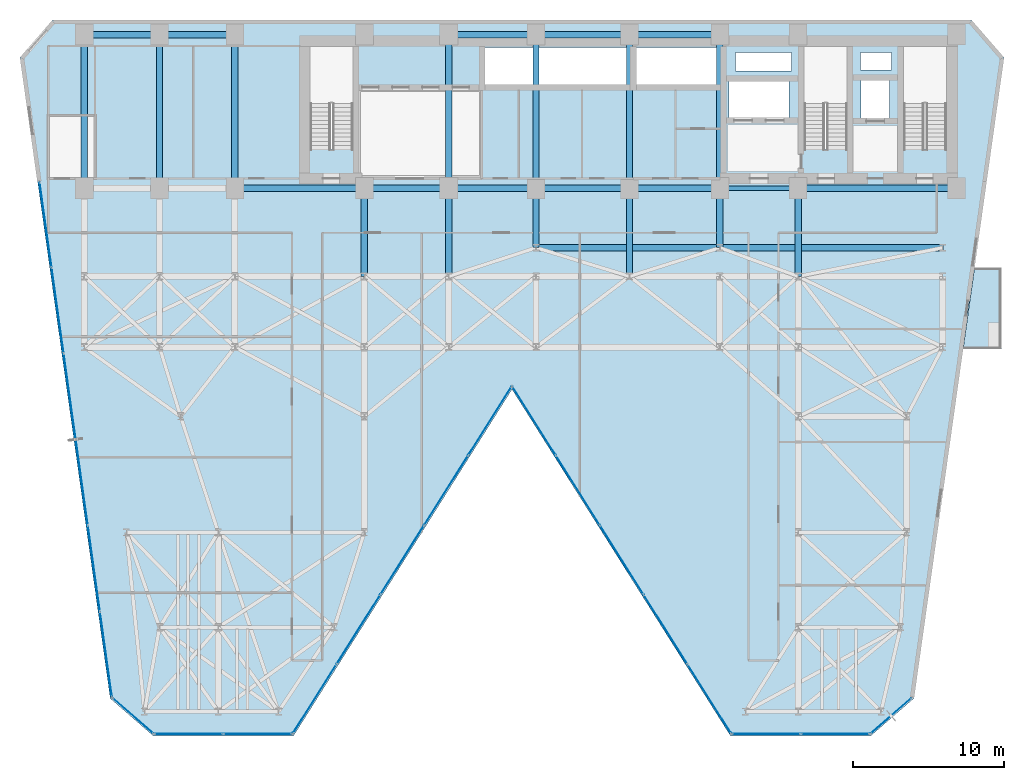
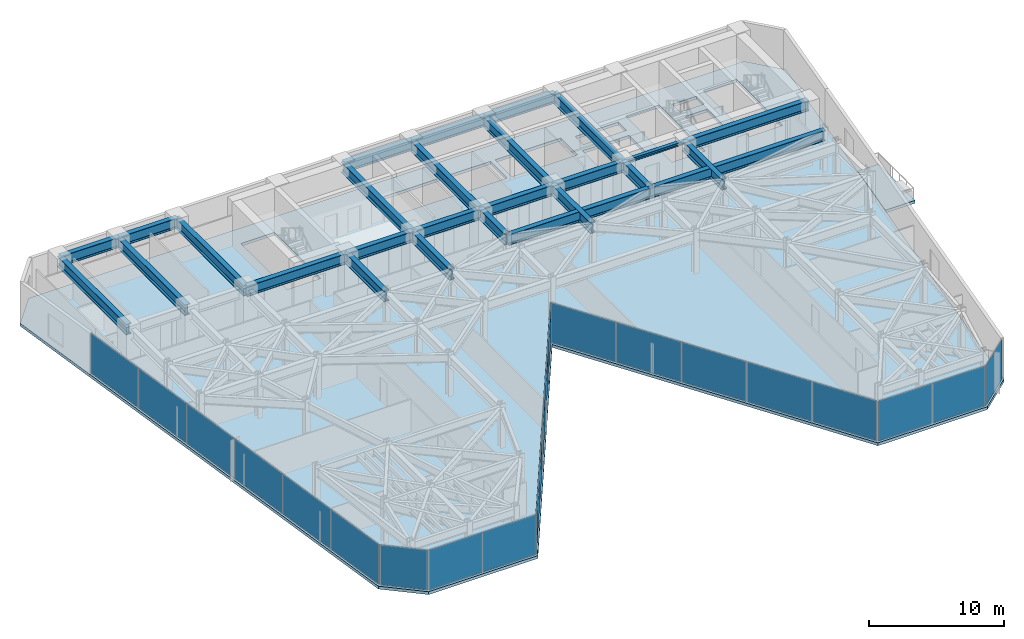
# One storey, part 18 of 25: 27 beams, 22 plates, 2 slabs, 7 elements without a shape of their own.
"""IFC4 building model written with IfcOpenShell, lengths in metres."""

import ifcopenshell
import ifcopenshell.guid

model = None  # the IFC model being written
_history = None  # IfcOwnerHistory: only IFC2X3 demands one
_inside = {}  # id of a spatial element -> (the spatial element, [elements in it])
_under = {}  # id of a project, library or spatial element -> (it, [spatial elements below it])
_declared = {}  # id of a project -> (the project, [libraries it declares])
_typed = {}  # id of a type object -> (the type object, [elements of that type])
_made_of = {}  # id of a material, layer set ... -> (it, [elements and type objects made of it])


def new_model(schema):
    """Start an empty IFC model of exactly this schema.

    Asked for "IFC4X3", IfcOpenShell would pick the latest addendum, in which some entities
    have other attributes; the version numbers below select the first issue.
    IFC2X3 requires an IfcOwnerHistory on every rooted entity: one is made here for all.
    """
    global model, _history
    if schema == "IFC4X3":
        model = ifcopenshell.file(schema_version=(4, 3, 0, 0))
    else:
        model = ifcopenshell.file(schema=schema)
    _inside.clear()
    _under.clear()
    _declared.clear()
    _typed.clear()
    _made_of.clear()
    _history = None
    if model.schema == "IFC2X3":
        org = make("IfcOrganization", Name="unknown")
        user = make(
            "IfcPersonAndOrganization",
            ThePerson=make("IfcPerson", FamilyName="unknown"),
            TheOrganization=org,
        )
        app = make(
            "IfcApplication",
            ApplicationDeveloper=org,
            Version="unknown",
            ApplicationFullName="unknown",
            ApplicationIdentifier="unknown",
        )
        _history = make(
            "IfcOwnerHistory",
            OwningUser=user,
            OwningApplication=app,
            ChangeAction="ADDED",
            CreationDate=0,
        )
    return model


def make(cls, **values):
    """One entity of the class cls with the attributes given. An attribute that is None is left unset."""
    return model.create_entity(
        cls, **{name: value for name, value in values.items() if value is not None}
    )


def rooted(cls, **values):
    """An entity with a GlobalId (a new one), such as an element, a storey or a relation."""
    return make(cls, GlobalId=ifcopenshell.guid.new(), OwnerHistory=_history, **values)


def si_unit(unit_type, name, prefix=None):
    """IfcSIUnit, for example si_unit("LENGTHUNIT", "METRE", prefix="MILLI")."""
    return make("IfcSIUnit", UnitType=unit_type, Prefix=prefix, Name=name)


def assignment(units):
    """IfcUnitAssignment: the units of a project."""
    return None if units is None else make("IfcUnitAssignment", Units=units)


def point(xyz):
    """IfcCartesianPoint."""
    return None if xyz is None else make("IfcCartesianPoint", Coordinates=xyz)


def direction(xyz):
    """IfcDirection."""
    return None if xyz is None else make("IfcDirection", DirectionRatios=xyz)


def frame(location, z_axis=None, x_axis=None):
    """IfcAxis2Placement3D, a coordinate frame: its origin and axes. An axis left out is left unset."""
    return make(
        "IfcAxis2Placement3D",
        Location=point(location),
        Axis=direction(z_axis),
        RefDirection=direction(x_axis),
    )


def frame_2d(location, x_axis=None):
    """IfcAxis2Placement2D, a coordinate frame in the plane: its origin and x axis."""
    return make(
        "IfcAxis2Placement2D", Location=point(location), RefDirection=direction(x_axis)
    )


def origin():
    """The frame at (0, 0, 0) with its axes left unset."""
    return frame((0.0, 0.0, 0.0))


def origin_2d():
    """The frame at (0, 0) in the plane with its x axis left unset."""
    return frame_2d((0.0, 0.0))


def place(relative_to, where):
    """IfcLocalPlacement: puts the frame where relative to a parent placement (None: the world)."""
    return make(
        "IfcLocalPlacement", PlacementRelTo=relative_to, RelativePlacement=where
    )


def context(
    kind, dimensions, precision=None, world=None, true_north=None, identifier=None
):
    """IfcGeometricRepresentationContext, for example the 3D "Model" context."""
    return make(
        "IfcGeometricRepresentationContext",
        ContextIdentifier=identifier,
        ContextType=kind,
        CoordinateSpaceDimension=dimensions,
        Precision=precision,
        WorldCoordinateSystem=world,
        TrueNorth=true_north,
    )


def subcontext(parent, identifier, kind, view, scale=None):
    """IfcGeometricRepresentationSubContext, for example "Body" below "Model"."""
    return make(
        "IfcGeometricRepresentationSubContext",
        ContextIdentifier=identifier,
        ContextType=kind,
        ParentContext=parent,
        TargetScale=scale,
        TargetView=view,
    )


def project(units=None, contexts=None):
    """IfcProject with its units and contexts."""
    return rooted(
        "IfcProject",
        Name="project",
        RepresentationContexts=contexts,
        UnitsInContext=assignment(units),
    )


def spatial(cls, under=None, at=None, **own):
    """A site, building, storey or space (cls), placed at a placement, below another one or the project."""
    s = rooted(cls, ObjectPlacement=at, **own)
    if under is not None:
        _under.setdefault(under.id(), (under, []))[1].append(s)
    return s


def polyline(points):
    """IfcPolyline through the points."""
    return make("IfcPolyline", Points=[point(p) for p in points])


def profile(cls, at=None, kind="AREA", **sizes):
    """A parametric profile (cls). Its sizes go by their IFC names, for example OverallWidth=200.0."""
    return make(cls, ProfileType=kind, Position=at, **sizes)


def rectangle(**sizes):
    """IfcRectangleProfileDef."""
    return profile("IfcRectangleProfileDef", **sizes)


def i_section(**sizes):
    """IfcIShapeProfileDef."""
    return profile("IfcIShapeProfileDef", **sizes)


def outline(outer, holes=None, kind="AREA"):
    """IfcArbitraryClosedProfileDef: a profile drawn as a closed curve; with holes, ...WithVoids."""
    if holes is None:
        return make("IfcArbitraryClosedProfileDef", ProfileType=kind, OuterCurve=outer)
    return make(
        "IfcArbitraryProfileDefWithVoids",
        ProfileType=kind,
        OuterCurve=outer,
        InnerCurves=holes,
    )


def extrude(swept, where, along, depth):
    """IfcExtrudedAreaSolid: the profile swept, set in the frame where, extruded along a direction by depth."""
    return make(
        "IfcExtrudedAreaSolid",
        SweptArea=swept,
        Position=where,
        ExtrudedDirection=direction(along),
        Depth=depth,
    )


def shape(context_of_items, identifier, shape_type, items):
    """IfcShapeRepresentation: the items that make up one representation, for example the "Body"."""
    return make(
        "IfcShapeRepresentation",
        ContextOfItems=context_of_items,
        RepresentationIdentifier=identifier,
        RepresentationType=shape_type,
        Items=items,
    )


def material(Name=None, Category=None):
    """IfcMaterial."""
    return make("IfcMaterial", Name=Name, Category=Category)


def layer(
    of_material, thickness, ventilated=None, Name=None, Category=None, Priority=None
):
    """IfcMaterialLayer: one layer of a wall or slab, of a material (None: an air gap)."""
    return make(
        "IfcMaterialLayer",
        Material=of_material,
        LayerThickness=thickness,
        IsVentilated=ventilated,
        Name=Name,
        Category=Category,
        Priority=Priority,
    )


def layer_set(layers, Name=None):
    """IfcMaterialLayerSet."""
    return make("IfcMaterialLayerSet", MaterialLayers=layers, LayerSetName=Name)


def material_profile(
    of_material, cross_section, Name=None, Category=None, Priority=None
):
    """IfcMaterialProfile: a cross section and its material."""
    return make(
        "IfcMaterialProfile",
        Name=Name,
        Material=of_material,
        Profile=cross_section,
        Priority=Priority,
        Category=Category,
    )


def profile_set(profiles, Name=None, composite=None):
    """IfcMaterialProfileSet."""
    return make(
        "IfcMaterialProfileSet",
        Name=Name,
        MaterialProfiles=profiles,
        CompositeProfile=composite,
    )


def made_of(thing, what):
    """Note that an element or type object is made of a material, layer set ...; save() writes the relation."""
    if what is not None:
        _made_of.setdefault(what.id(), (what, []))[1].append(thing)
    return thing


def type_object(cls, material=None, **own):
    """A type object (cls), such as IfcWallType, which elements share."""
    return made_of(rooted(cls, **own), material)


def element(
    cls,
    number,
    at=None,
    inside=None,
    cuts=None,
    type_object=None,
    material=None,
    context=None,
    identifier="Body",
    shape_type=None,
    held_by="IfcProductDefinitionShape",
    body=None,
    shapes=None,
    **own,
):
    """One element of the class cls, such as IfcWall. Its Tag is "e" and its number.

    at: its placement. inside: the storey or other place that contains it. cuts: it is an
    opening in that element (IfcRelVoidsElement). A single representation is given by context,
    identifier, shape_type and body (its items); several are given by shapes. held_by: the class
    of the entity that holds the representations. save() writes the other relations.
    """
    e = rooted(cls, Tag="e%d" % number, ObjectPlacement=at, **own)
    if body is not None:
        shapes = [shape(context, identifier, shape_type, body)]
    if shapes is not None:
        e.Representation = make(held_by, Representations=shapes)
    if inside is not None:
        _inside.setdefault(inside.id(), (inside, []))[1].append(e)
    if cuts is not None:
        rooted(
            "IfcRelVoidsElement", RelatingBuildingElement=cuts, RelatedOpeningElement=e
        )
    if type_object is not None:
        _typed.setdefault(type_object.id(), (type_object, []))[1].append(e)
    return made_of(e, material)


def aggregate(whole, parts):
    """IfcRelAggregates: a whole, such as a stair, and the parts it consists of."""
    return rooted("IfcRelAggregates", RelatingObject=whole, RelatedObjects=parts)


def save(model, path):
    """Write the relations noted so far, then the file.

    IfcRelAggregates (storeys below a building ...), IfcRelContainedInSpatialStructure (elements
    in a storey), IfcRelDefinesByType, IfcRelAssociatesMaterial and IfcRelDeclares: one each for
    every whole, place, type object, material and project.
    """
    for whole, parts in _under.values():
        aggregate(whole, parts)
    for where, things in _inside.values():
        rooted(
            "IfcRelContainedInSpatialStructure",
            RelatedElements=things,
            RelatingStructure=where,
        )
    for kind, things in _typed.values():
        rooted("IfcRelDefinesByType", RelatedObjects=things, RelatingType=kind)
    for what, things in _made_of.values():
        rooted("IfcRelAssociatesMaterial", RelatedObjects=things, RelatingMaterial=what)
    for by, libraries in _declared.values():
        rooted("IfcRelDeclares", RelatingContext=by, RelatedDefinitions=libraries)
    model.write(path)


model = new_model("IFC4")

# Units and contexts
model_context = context("Model", 3, precision=1e-05, world=origin(), true_north=direction((0.0, 1.0)))
body_context = subcontext(model_context, "Body", "Model", "MODEL_VIEW")
ifc_project = project(units=[si_unit("LENGTHUNIT", "METRE"), si_unit("AREAUNIT", "SQUARE_METRE"), si_unit("VOLUMEUNIT", "CUBIC_METRE"), si_unit("PLANEANGLEUNIT", "RADIAN"), si_unit("MASSUNIT", "GRAM", prefix="KILO")], contexts=[model_context])

# Site, building, storey
site_placement = place(None, origin())
site = spatial("IfcSite", under=ifc_project, at=site_placement, CompositionType="ELEMENT")
building_placement = place(site_placement, origin())
building = spatial("IfcBuilding", under=site, at=building_placement, Name="Kravanh Interchange Tower", CompositionType="ELEMENT")
storey_placement = place(building_placement, frame((0.0, 0.0, 81.5)))
storey = spatial("IfcBuildingStorey", under=building, at=storey_placement, Name="L19", CompositionType="ELEMENT", Elevation=81.5)

# Beams
ifc_material_1 = material(Name="Structural Steel S355", Category="steel")
ifc_material_profile_1 = material_profile(ifc_material_1, i_section(OverallWidth=0.41796875, OverallDepth=0.927001953125, WebThickness=0.019287109375, FlangeThickness=0.031982421875, FilletRadius=0.028076171875, at=origin_2d()), Name="W36X231")
ifc_profile_set_1 = profile_set([ifc_material_profile_1], Name="Structural Steel S355")
beam_type_1 = type_object("IfcBeamType", Name="Floor Beam W36X231 Structural Steel S355", PredefinedType="BEAM", material=ifc_profile_set_1)
beam_1_placement = place(storey_placement, frame((66.5, 37.35009765625, 3.256591796875), z_axis=(-1.0, 0.0, 0.0), x_axis=(0.0, -1.0, 0.0)))
element("IfcBeam", 1, at=beam_1_placement, inside=storey, type_object=beam_type_1, Name="L19 Primary Floor Girder 5", PredefinedType="BEAM", context=body_context, shape_type="SweptSolid", body=[
    extrude(i_section(OverallWidth=0.41796875, OverallDepth=0.927001953125, WebThickness=0.019287109375, FlangeThickness=0.031982421875, FilletRadius=0.028076171875, at=origin_2d()), origin(), (0.0, 0.0, 1.0), 10.5),
])
beam_2_placement = place(storey_placement, frame((56.0, 37.35009765625, 3.256591796875), z_axis=(0.0, -1.0, 0.0), x_axis=(1.0, 0.0, 0.0)))
element("IfcBeam", 2, at=beam_2_placement, inside=storey, type_object=beam_type_1, Name="L19 Primary Floor Girder 7", PredefinedType="BEAM", context=body_context, shape_type="SweptSolid", body=[
    extrude(i_section(OverallWidth=0.41796875, OverallDepth=0.927001953125, WebThickness=0.019287109375, FlangeThickness=0.031982421875, FilletRadius=0.028076171875, at=origin_2d()), origin(), (0.0, 0.0, 1.0), 5.85009765625),
])
beam_3_placement = place(storey_placement, frame((50.800048828125, 47.550048828125, 3.256591796875), z_axis=(-1.0, 0.0, 0.0), x_axis=(0.0, -1.0, 0.0)))
element("IfcBeam", 3, at=beam_3_placement, inside=storey, type_object=beam_type_1, Name="L19 Primary Floor Girder 8", PredefinedType="BEAM", context=body_context, shape_type="SweptSolid", body=[
    extrude(i_section(OverallWidth=0.41796875, OverallDepth=0.927001953125, WebThickness=0.019287109375, FlangeThickness=0.031982421875, FilletRadius=0.028076171875, at=origin_2d()), origin(), (0.0, 0.0, 1.0), 6.0),
])
beam_4_placement = place(storey_placement, frame((50.800048828125, 47.550048828125, 3.256591796875), z_axis=(0.0, -1.0, 0.0), x_axis=(1.0, 0.0, 0.0)))
element("IfcBeam", 4, at=beam_4_placement, inside=storey, type_object=beam_type_1, Name="L19 Primary Floor Girder 9", PredefinedType="BEAM", context=body_context, shape_type="SweptSolid", body=[
    extrude(i_section(OverallWidth=0.41796875, OverallDepth=0.927001953125, WebThickness=0.019287109375, FlangeThickness=0.031982421875, FilletRadius=0.028076171875, at=origin_2d()), origin(), (0.0, 0.0, 1.0), 10.199951171875),
])
beam_5_placement = place(storey_placement, frame((50.800048828125, 37.35009765625, 3.256591796875), z_axis=(0.0, -1.0, 0.0), x_axis=(1.0, 0.0, 0.0)))
element("IfcBeam", 5, at=beam_5_placement, inside=storey, type_object=beam_type_1, Name="L19 Primary Floor Girder 10", PredefinedType="BEAM", context=body_context, shape_type="SweptSolid", body=[
    extrude(i_section(OverallWidth=0.41796875, OverallDepth=0.927001953125, WebThickness=0.019287109375, FlangeThickness=0.031982421875, FilletRadius=0.028076171875, at=origin_2d()), origin(), (0.0, 0.0, 1.0), 3.9501953125),
])
beam_6_placement = place(storey_placement, frame((50.800048828125, 37.35009765625, 3.256591796875), z_axis=(-1.0, 0.0, 0.0), x_axis=(0.0, -1.0, 0.0)))
element("IfcBeam", 6, at=beam_6_placement, inside=storey, type_object=beam_type_1, Name="L19 Primary Floor Girder 11", PredefinedType="BEAM", context=body_context, shape_type="SweptSolid", body=[
    extrude(i_section(OverallWidth=0.41796875, OverallDepth=0.927001953125, WebThickness=0.019287109375, FlangeThickness=0.031982421875, FilletRadius=0.028076171875, at=origin_2d()), origin(), (0.0, 0.0, 1.0), 6.0),
])
beam_7_placement = place(storey_placement, frame((44.800048828125, 37.35009765625, 3.256591796875), z_axis=(0.0, -1.0, 0.0), x_axis=(1.0, 0.0, 0.0)))
element("IfcBeam", 7, at=beam_7_placement, inside=storey, type_object=beam_type_1, Name="L19 Primary Floor Girder 12", PredefinedType="BEAM", context=body_context, shape_type="SweptSolid", body=[
    extrude(i_section(OverallWidth=0.41796875, OverallDepth=0.927001953125, WebThickness=0.019287109375, FlangeThickness=0.031982421875, FilletRadius=0.028076171875, at=origin_2d()), origin(), (0.0, 0.0, 1.0), 5.85009765625),
])
beam_8_placement = place(storey_placement, frame((44.800048828125, 37.35009765625, 3.256591796875), z_axis=(-1.0, 0.0, 0.0), x_axis=(0.0, -1.0, 0.0)))
element("IfcBeam", 8, at=beam_8_placement, inside=storey, type_object=beam_type_1, Name="L19 Primary Floor Girder 13", PredefinedType="BEAM", context=body_context, shape_type="SweptSolid", body=[
    extrude(i_section(OverallWidth=0.41796875, OverallDepth=0.927001953125, WebThickness=0.019287109375, FlangeThickness=0.031982421875, FilletRadius=0.028076171875, at=origin_2d()), origin(), (0.0, 0.0, 1.0), 6.199951171875),
])
beam_9_placement = place(storey_placement, frame((44.800048828125, 37.35009765625, 3.256591796875), z_axis=(0.0, 1.0, 0.0), x_axis=(-1.0, 0.0, 0.0)))
element("IfcBeam", 9, at=beam_9_placement, inside=storey, type_object=beam_type_1, Name="L19 Primary Floor Girder 14", PredefinedType="BEAM", context=body_context, shape_type="SweptSolid", body=[
    extrude(i_section(OverallWidth=0.41796875, OverallDepth=0.927001953125, WebThickness=0.019287109375, FlangeThickness=0.031982421875, FilletRadius=0.028076171875, at=origin_2d()), origin(), (0.0, 0.0, 1.0), 10.199951171875),
])
beam_10_placement = place(storey_placement, frame((44.800048828125, 47.550048828125, 3.256591796875), z_axis=(-1.0, 0.0, 0.0), x_axis=(0.0, -1.0, 0.0)))
element("IfcBeam", 10, at=beam_10_placement, inside=storey, type_object=beam_type_1, Name="L19 Primary Floor Girder 15", PredefinedType="BEAM", context=body_context, shape_type="SweptSolid", body=[
    extrude(i_section(OverallWidth=0.41796875, OverallDepth=0.927001953125, WebThickness=0.019287109375, FlangeThickness=0.031982421875, FilletRadius=0.028076171875, at=origin_2d()), origin(), (0.0, 0.0, 1.0), 6.199951171875),
])
beam_11_placement = place(storey_placement, frame((38.60009765625, 37.35009765625, 3.256591796875), z_axis=(0.0, -1.0, 0.0), x_axis=(1.0, 0.0, 0.0)))
element("IfcBeam", 11, at=beam_11_placement, inside=storey, type_object=beam_type_1, Name="L19 Primary Floor Girder 16", PredefinedType="BEAM", context=body_context, shape_type="SweptSolid", body=[
    extrude(i_section(OverallWidth=0.41796875, OverallDepth=0.927001953125, WebThickness=0.019287109375, FlangeThickness=0.031982421875, FilletRadius=0.028076171875, at=origin_2d()), origin(), (0.0, 0.0, 1.0), 3.9501953125),
])
beam_12_placement = place(storey_placement, frame((38.60009765625, 37.35009765625, 3.256591796875), z_axis=(-1.0, 0.0, 0.0), x_axis=(0.0, -1.0, 0.0)))
element("IfcBeam", 12, at=beam_12_placement, inside=storey, type_object=beam_type_1, Name="L19 Primary Floor Girder 17", PredefinedType="BEAM", context=body_context, shape_type="SweptSolid", body=[
    extrude(i_section(OverallWidth=0.41796875, OverallDepth=0.927001953125, WebThickness=0.019287109375, FlangeThickness=0.031982421875, FilletRadius=0.028076171875, at=origin_2d()), origin(), (0.0, 0.0, 1.0), 5.800048828125),
])
beam_13_placement = place(storey_placement, frame((38.60009765625, 37.35009765625, 3.256591796875), z_axis=(0.0, 1.0, 0.0), x_axis=(-1.0, 0.0, 0.0)))
element("IfcBeam", 13, at=beam_13_placement, inside=storey, type_object=beam_type_1, Name="L19 Primary Floor Girder 18", PredefinedType="BEAM", context=body_context, shape_type="SweptSolid", body=[
    extrude(i_section(OverallWidth=0.41796875, OverallDepth=0.927001953125, WebThickness=0.019287109375, FlangeThickness=0.031982421875, FilletRadius=0.028076171875, at=origin_2d()), origin(), (0.0, 0.0, 1.0), 10.199951171875),
])
beam_14_placement = place(storey_placement, frame((38.60009765625, 47.550048828125, 3.256591796875), z_axis=(-1.0, 0.0, 0.0), x_axis=(0.0, -1.0, 0.0)))
element("IfcBeam", 14, at=beam_14_placement, inside=storey, type_object=beam_type_1, Name="L19 Primary Floor Girder 19", PredefinedType="BEAM", context=body_context, shape_type="SweptSolid", body=[
    extrude(i_section(OverallWidth=0.41796875, OverallDepth=0.927001953125, WebThickness=0.019287109375, FlangeThickness=0.031982421875, FilletRadius=0.028076171875, at=origin_2d()), origin(), (0.0, 0.0, 1.0), 5.800048828125),
])
beam_15_placement = place(storey_placement, frame((32.800048828125, 37.35009765625, 3.256591796875), z_axis=(-1.0, 0.0, 0.0), x_axis=(0.0, -1.0, 0.0)))
element("IfcBeam", 15, at=beam_15_placement, inside=storey, type_object=beam_type_1, Name="L19 Primary Floor Girder 20", PredefinedType="BEAM", context=body_context, shape_type="SweptSolid", body=[
    extrude(i_section(OverallWidth=0.41796875, OverallDepth=0.927001953125, WebThickness=0.019287109375, FlangeThickness=0.031982421875, FilletRadius=0.028076171875, at=origin_2d()), origin(), (0.0, 0.0, 1.0), 5.60009765625),
])
beam_16_placement = place(storey_placement, frame((32.800048828125, 37.35009765625, 3.256591796875), z_axis=(0.0, -1.0, 0.0), x_axis=(1.0, 0.0, 0.0)))
element("IfcBeam", 16, at=beam_16_placement, inside=storey, type_object=beam_type_1, Name="L19 Primary Floor Girder 21", PredefinedType="BEAM", context=body_context, shape_type="SweptSolid", body=[
    extrude(i_section(OverallWidth=0.41796875, OverallDepth=0.927001953125, WebThickness=0.019287109375, FlangeThickness=0.031982421875, FilletRadius=0.028076171875, at=origin_2d()), origin(), (0.0, 0.0, 1.0), 5.85009765625),
])
beam_17_placement = place(storey_placement, frame((32.800048828125, 37.35009765625, 3.256591796875), z_axis=(0.0, 1.0, 0.0), x_axis=(-1.0, 0.0, 0.0)))
element("IfcBeam", 17, at=beam_17_placement, inside=storey, type_object=beam_type_1, Name="L19 Primary Floor Girder 22", PredefinedType="BEAM", context=body_context, shape_type="SweptSolid", body=[
    extrude(i_section(OverallWidth=0.41796875, OverallDepth=0.927001953125, WebThickness=0.019287109375, FlangeThickness=0.031982421875, FilletRadius=0.028076171875, at=origin_2d()), origin(), (0.0, 0.0, 1.0), 10.199951171875),
])
beam_18_placement = place(storey_placement, frame((27.199951171875, 37.35009765625, 3.256591796875), z_axis=(0.0, -1.0, 0.0), x_axis=(1.0, 0.0, 0.0)))
element("IfcBeam", 18, at=beam_18_placement, inside=storey, type_object=beam_type_1, Name="L19 Primary Floor Girder 24", PredefinedType="BEAM", context=body_context, shape_type="SweptSolid", body=[
    extrude(i_section(OverallWidth=0.41796875, OverallDepth=0.927001953125, WebThickness=0.019287109375, FlangeThickness=0.031982421875, FilletRadius=0.028076171875, at=origin_2d()), origin(), (0.0, 0.0, 1.0), 5.85009765625),
])
beam_19_placement = place(storey_placement, frame((27.199951171875, 37.35009765625, 3.256591796875), z_axis=(-1.0, 0.0, 0.0), x_axis=(0.0, -1.0, 0.0)))
element("IfcBeam", 19, at=beam_19_placement, inside=storey, type_object=beam_type_1, Name="L19 Primary Floor Girder 25", PredefinedType="BEAM", context=body_context, shape_type="SweptSolid", body=[
    extrude(i_section(OverallWidth=0.41796875, OverallDepth=0.927001953125, WebThickness=0.019287109375, FlangeThickness=0.031982421875, FilletRadius=0.028076171875, at=origin_2d()), origin(), (0.0, 0.0, 1.0), 8.599853515625),
])
beam_20_placement = place(storey_placement, frame((18.60009765625, 37.35009765625, 3.256591796875), z_axis=(0.0, 1.0, 0.0), x_axis=(-1.0, 0.0, 0.0)))
element("IfcBeam", 20, at=beam_20_placement, inside=storey, type_object=beam_type_1, Name="L19 Primary Floor Girder 30", PredefinedType="BEAM", context=body_context, shape_type="SweptSolid", body=[
    extrude(i_section(OverallWidth=0.41796875, OverallDepth=0.927001953125, WebThickness=0.019287109375, FlangeThickness=0.031982421875, FilletRadius=0.028076171875, at=origin_2d()), origin(), (0.0, 0.0, 1.0), 10.199951171875),
])
beam_21_placement = place(storey_placement, frame((18.60009765625, 47.550048828125, 3.256591796875), z_axis=(-1.0, 0.0, 0.0), x_axis=(0.0, -1.0, 0.0)))
element("IfcBeam", 21, at=beam_21_placement, inside=storey, type_object=beam_type_1, Name="L19 Primary Floor Girder 31", PredefinedType="BEAM", context=body_context, shape_type="SweptSolid", body=[
    extrude(i_section(OverallWidth=0.41796875, OverallDepth=0.927001953125, WebThickness=0.019287109375, FlangeThickness=0.031982421875, FilletRadius=0.028076171875, at=origin_2d()), origin(), (0.0, 0.0, 1.0), 5.0),
])
beam_22_placement = place(storey_placement, frame((13.60009765625, 37.35009765625, 3.256591796875), z_axis=(0.0, 1.0, 0.0), x_axis=(-1.0, 0.0, 0.0)))
element("IfcBeam", 22, at=beam_22_placement, inside=storey, type_object=beam_type_1, Name="L19 Primary Floor Girder 34", PredefinedType="BEAM", context=body_context, shape_type="SweptSolid", body=[
    extrude(i_section(OverallWidth=0.41796875, OverallDepth=0.927001953125, WebThickness=0.019287109375, FlangeThickness=0.031982421875, FilletRadius=0.028076171875, at=origin_2d()), origin(), (0.0, 0.0, 1.0), 10.199951171875),
])
beam_23_placement = place(storey_placement, frame((13.60009765625, 47.550048828125, 3.256591796875), z_axis=(-1.0, 0.0, 0.0), x_axis=(0.0, -1.0, 0.0)))
element("IfcBeam", 23, at=beam_23_placement, inside=storey, type_object=beam_type_1, Name="L19 Primary Floor Girder 35", PredefinedType="BEAM", context=body_context, shape_type="SweptSolid", body=[
    extrude(i_section(OverallWidth=0.41796875, OverallDepth=0.927001953125, WebThickness=0.019287109375, FlangeThickness=0.031982421875, FilletRadius=0.028076171875, at=origin_2d()), origin(), (0.0, 0.0, 1.0), 5.0),
])
beam_24_placement = place(storey_placement, frame((8.60009765625, 37.35009765625, 3.256591796875), z_axis=(0.0, 1.0, 0.0), x_axis=(-1.0, 0.0, 0.0)))
element("IfcBeam", 24, at=beam_24_placement, inside=storey, type_object=beam_type_1, Name="L19 Primary Floor Girder 37", PredefinedType="BEAM", context=body_context, shape_type="SweptSolid", body=[
    extrude(i_section(OverallWidth=0.41796875, OverallDepth=0.927001953125, WebThickness=0.019287109375, FlangeThickness=0.031982421875, FilletRadius=0.028076171875, at=origin_2d()), origin(), (0.0, 0.0, 1.0), 10.199951171875),
])
beam_25_placement = place(storey_placement, frame((38.60009765625, 33.39990234375, 3.256591796875), z_axis=(1.0, 0.0, 0.0), x_axis=(0.0, 1.0, 0.0)))
element("IfcBeam", 25, at=beam_25_placement, inside=storey, type_object=beam_type_1, Name="L19 Primary Floor Girder 145", PredefinedType="BEAM", context=body_context, shape_type="SweptSolid", body=[
    extrude(i_section(OverallWidth=0.41796875, OverallDepth=0.927001953125, WebThickness=0.019287109375, FlangeThickness=0.031982421875, FilletRadius=0.028076171875, at=origin_2d()), origin(), (0.0, 0.0, 1.0), 12.199951171875),
])
beam_26_placement = place(storey_placement, frame((50.800048828125, 33.39990234375, 3.256591796875), z_axis=(1.0, 0.0, 0.0), x_axis=(0.0, 1.0, 0.0)))
element("IfcBeam", 26, at=beam_26_placement, inside=storey, type_object=beam_type_1, Name="L19 Primary Floor Girder 146", PredefinedType="BEAM", context=body_context, shape_type="SweptSolid", body=[
    extrude(i_section(OverallWidth=0.41796875, OverallDepth=0.927001953125, WebThickness=0.019287109375, FlangeThickness=0.031982421875, FilletRadius=0.028076171875, at=origin_2d()), origin(), (0.0, 0.0, 1.0), 14.800048828125),
])
ifc_material_2 = material(Name="Structural Steel S355", Category="steel")
ifc_material_profile_2 = material_profile(ifc_material_2, i_section(OverallWidth=0.304931640625, OverallDepth=0.306884765625, WebThickness=0.010009765625, FlangeThickness=0.015380859375, FilletRadius=0.014892578125, at=origin_2d()), Name="W12X65")
ifc_profile_set_2 = profile_set([ifc_material_profile_2], Name="Structural Steel S355")
beam_type_2 = type_object("IfcBeamType", Name="Floor Lintel W12X65 Structural Steel S355", PredefinedType="LINTEL", material=ifc_profile_set_2)
beam_27_placement = place(storey_placement, frame((50.800048828125, 37.35009765625, 3.56640625), z_axis=(1.0, 0.0, 0.0), x_axis=(0.0, 1.0, 0.0)))
element("IfcBeam", 27, at=beam_27_placement, inside=storey, type_object=beam_type_2, Name="L19 Core Coupling Lintel 1", PredefinedType="LINTEL", context=body_context, shape_type="SweptSolid", body=[
    extrude(i_section(OverallWidth=0.304931640625, OverallDepth=0.306884765625, WebThickness=0.010009765625, FlangeThickness=0.015380859375, FilletRadius=0.014892578125, at=origin_2d()), origin(), (0.0, 0.0, 1.0), 5.199951171875),
])

# Slabs
ifc_material_3 = material(Name="Concrete C50/60", Category="concrete")
ifc_layer_1 = layer(ifc_material_3, 0.260009765625)
ifc_layer_set_1 = layer_set([ifc_layer_1], Name="Composite Floor Slab Concrete C50/60 260mm")
slab_type_1 = type_object("IfcSlabType", Name="Composite Floor Slab Concrete C50/60 260mm", PredefinedType="FLOOR", material=ifc_layer_set_1)
slab_1_placement = place(storey_placement, frame((0.0, 0.0, -0.260009765625)))
element("IfcSlab", 28, at=slab_1_placement, inside=storey, type_object=slab_type_1, Name="L19 Structural Floor Slab", PredefinedType="FLOOR", context=body_context, shape_type="SweptSolid", body=[
    extrude(outline(polyline([(10.327880859375, 3.4755859375), (13.17578125, 1.0), (22.5, 1.0), (37.0, 24.0), (51.5, 1.0), (60.82421875, 1.0), (63.672119140625, 3.4755859375), (69.652099609375, 46.0244140625), (67.5, 48.5), (6.5, 48.5), (4.347900390625, 46.0244140625), (10.327880859375, 3.4755859375)]), holes=[polyline([(65.85009765625, 39.925048828125), (65.85009765625, 46.75), (63.0, 46.75), (63.0, 39.925048828125), (65.85009765625, 39.925048828125)]), polyline([(59.25, 39.925048828125), (59.25, 46.75), (56.39990234375, 46.75), (56.39990234375, 39.925048828125), (59.25, 39.925048828125)]), polyline([(26.449951171875, 39.925048828125), (26.449951171875, 46.75), (23.60009765625, 46.75), (23.60009765625, 39.925048828125), (26.449951171875, 39.925048828125)]), polyline([(35.179931640625, 44.219970703125), (44.840087890625, 44.219970703125), (44.840087890625, 46.699951171875), (35.179931640625, 46.699951171875), (35.179931640625, 44.219970703125)]), polyline([(45.239990234375, 44.219970703125), (50.840087890625, 44.219970703125), (50.840087890625, 46.699951171875), (45.239990234375, 46.699951171875), (45.239990234375, 44.219970703125)]), polyline([(51.419921875, 42.02001953125), (55.3798828125, 42.02001953125), (55.3798828125, 44.47998046875), (51.419921875, 44.47998046875), (51.419921875, 42.02001953125)]), polyline([(60.179931640625, 41.97998046875), (62.06005859375, 41.97998046875), (62.06005859375, 44.52001953125), (60.179931640625, 44.52001953125), (60.179931640625, 41.97998046875)]), polyline([(60.14990234375, 45.199951171875), (62.199951171875, 45.199951171875), (62.199951171875, 46.35009765625), (60.14990234375, 46.35009765625), (60.14990234375, 45.199951171875)]), polyline([(51.85009765625, 45.14990234375), (55.550048828125, 45.14990234375), (55.550048828125, 46.35009765625), (51.85009765625, 46.35009765625), (51.85009765625, 45.14990234375)])]), origin(), (0.0, 0.0, 1.0), 0.260009765625),
])
ifc_material_4 = material(Name="Concrete C50/60", Category="concrete")
ifc_layer_2 = layer(ifc_material_4, 0.199951171875)
ifc_layer_set_2 = layer_set([ifc_layer_2], Name="Planted Tree Balcony Slab Concrete C50/60 200mm")
slab_type_2 = type_object("IfcSlabType", Name="Planted Tree Balcony Slab Concrete C50/60 200mm", PredefinedType="USERDEFINED", material=ifc_layer_set_2)
slab_2_placement = place(storey_placement, frame((0.0, 0.0, -0.260009765625)))
element("IfcSlab", 29, at=slab_2_placement, inside=storey, type_object=slab_type_2, Name="L19 East Tree Planter Balcony Slab", ObjectType="BALCONY", PredefinedType="USERDEFINED", context=body_context, shape_type="SweptSolid", body=[
    extrude(outline(polyline([(69.489990234375, 32.070068359375), (69.489990234375, 26.669921875), (66.947021484375, 26.669921875), (67.7060546875, 32.070068359375), (69.489990234375, 32.070068359375)])), origin(), (0.0, 0.0, 1.0), 0.260009765625),
])

# Curtain wall, plates
ifc_material_5 = material(Name="Anodised Bronze Aluminium", Category="aluminium")
ifc_layer_3 = layer(ifc_material_5, 0.179931640625)
ifc_layer_set_3 = layer_set([ifc_layer_3], Name="Unitised Curtain Wall System CW-Z1 Lower Office")
curtain_wall_type = type_object("IfcCurtainWallType", Name="Unitised Curtain Wall System CW-Z1 Lower Office", PredefinedType="NOTDEFINED", material=ifc_layer_set_3)
curtain_wall_1_placement = place(storey_placement, origin())
curtain_wall_1 = element("IfcCurtainWall", 30, at=curtain_wall_1_placement, inside=storey, type_object=curtain_wall_type, Name="L19 Unitised Curtain Wall CW-L19-01", PredefinedType="NOTDEFINED")
ifc_material_6 = material(Name="Low-E Laminated Architectural Glass", Category="glass")
ifc_layer_4 = layer(ifc_material_6, 0.028076171875)
ifc_layer_set_4 = layer_set([ifc_layer_4], Name="Solar-Control Double Glazing 28mm")
plate_type = type_object("IfcPlateType", Name="Solar-Control Double Glazing 28mm", PredefinedType="CURTAIN_PANEL", material=ifc_layer_set_4)
plate_1_placement = place(storey_placement, frame((10.03662109375, 6.409423828125, 0.06005859375), z_axis=(0.0, 0.0, 1.0), x_axis=(-0.139176538065, 0.990267585682, 0.0)))
plate_1 = element("IfcPlate", 31, at=plate_1_placement, type_object=plate_type, Name="CW-Z1 panel 1.1", PredefinedType="CURTAIN_PANEL", context=body_context, shape_type="SweptSolid", body=[
    extrude(rectangle(XDim=5.66162109375, YDim=0.028076171875, at=origin_2d()), origin(), (0.0, 0.0, 1.0), 3.60009765625),
])
plate_2_placement = place(storey_placement, frame((9.236572265625, 12.1025390625, 0.06005859375), z_axis=(0.0, 0.0, 1.0), x_axis=(-0.139176538065, 0.990267585682, 0.0)))
plate_2 = element("IfcPlate", 32, at=plate_2_placement, type_object=plate_type, Name="CW-Z1 panel 2.1", PredefinedType="CURTAIN_PANEL", context=body_context, shape_type="SweptSolid", body=[
    extrude(rectangle(XDim=5.69677734375, YDim=0.028076171875, at=origin_2d()), origin(), (0.0, 0.0, 1.0), 3.60009765625),
])
plate_3_placement = place(storey_placement, frame((8.433837890625, 17.813232421875, 0.06005859375), z_axis=(0.0, 0.0, 1.0), x_axis=(-0.139176538065, 0.990267585682, 0.0)))
plate_3 = element("IfcPlate", 33, at=plate_3_placement, type_object=plate_type, Name="CW-Z1 panel 3.1", PredefinedType="CURTAIN_PANEL", context=body_context, shape_type="SweptSolid", body=[
    extrude(rectangle(XDim=5.69677734375, YDim=0.028076171875, at=origin_2d()), origin(), (0.0, 0.0, 1.0), 3.60009765625),
])
plate_4_placement = place(storey_placement, frame((7.63134765625, 23.523681640625, 0.06005859375), z_axis=(0.0, 0.0, 1.0), x_axis=(-0.139176538065, 0.990267585682, 0.0)))
plate_4 = element("IfcPlate", 34, at=plate_4_placement, type_object=plate_type, Name="CW-Z1 panel 4.1", PredefinedType="CURTAIN_PANEL", context=body_context, shape_type="SweptSolid", body=[
    extrude(rectangle(XDim=5.69677734375, YDim=0.028076171875, at=origin_2d()), origin(), (0.0, 0.0, 1.0), 3.60009765625),
])
plate_5_placement = place(storey_placement, frame((6.828857421875, 29.234130859375, 0.06005859375), z_axis=(0.0, 0.0, 1.0), x_axis=(-0.139176538065, 0.990267585682, 0.0)))
plate_5 = element("IfcPlate", 35, at=plate_5_placement, type_object=plate_type, Name="CW-Z1 panel 5.1", PredefinedType="CURTAIN_PANEL", context=body_context, shape_type="SweptSolid", body=[
    extrude(rectangle(XDim=5.69677734375, YDim=0.028076171875, at=origin_2d()), origin(), (0.0, 0.0, 1.0), 3.60009765625),
])
plate_6_placement = place(storey_placement, frame((6.028564453125, 34.927490234375, 0.06005859375), z_axis=(0.0, 0.0, 1.0), x_axis=(-0.139176538065, 0.990267585682, 0.0)))
plate_6 = element("IfcPlate", 36, at=plate_6_placement, type_object=plate_type, Name="CW-Z1 panel 6.1", PredefinedType="CURTAIN_PANEL", context=body_context, shape_type="SweptSolid", body=[
    extrude(rectangle(XDim=5.66162109375, YDim=0.028076171875, at=origin_2d()), origin(), (0.0, 0.0, 1.0), 3.60009765625),
])
aggregate(curtain_wall_1, [plate_1, plate_2, plate_3, plate_4, plate_5, plate_6])

# Curtain wall, plate
curtain_wall_2_placement = place(storey_placement, origin())
curtain_wall_2 = element("IfcCurtainWall", 37, at=curtain_wall_2_placement, inside=storey, type_object=curtain_wall_type, Name="L19 Unitised Curtain Wall CW-L19-02", PredefinedType="NOTDEFINED")
plate_7_placement = place(storey_placement, frame((62.16943359375, 2.328369140625, 0.06005859375), z_axis=(0.0, 0.0, 1.0), x_axis=(-0.754708368999, -0.656060422341, 0.0)))
plate_7 = element("IfcPlate", 38, at=plate_7_placement, type_object=plate_type, Name="CW-Z1 panel 1.1", PredefinedType="CURTAIN_PANEL", context=body_context, shape_type="SweptSolid", body=[
    extrude(rectangle(XDim=3.543701171875, YDim=0.028076171875, at=origin_2d()), origin(), (0.0, 0.0, 1.0), 3.60009765625),
])
aggregate(curtain_wall_2, [plate_7])

# Curtain wall, plates
curtain_wall_3_placement = place(storey_placement, origin())
curtain_wall_3 = element("IfcCurtainWall", 39, at=curtain_wall_3_placement, inside=storey, type_object=curtain_wall_type, Name="L19 Unitised Curtain Wall CW-L19-03", PredefinedType="NOTDEFINED")
plate_8_placement = place(storey_placement, frame((58.45849609375, 1.1201171875, 0.06005859375), z_axis=(0.0, 0.0, 1.0), x_axis=(-1.0, 0.0, 0.0)))
plate_8 = element("IfcPlate", 40, at=plate_8_placement, type_object=plate_type, Name="CW-Z1 panel 1.1", PredefinedType="CURTAIN_PANEL", context=body_context, shape_type="SweptSolid", body=[
    extrude(rectangle(XDim=4.501708984375, YDim=0.028076171875, at=origin_2d()), origin(), (0.0, 0.0, 1.0), 3.60009765625),
])
plate_9_placement = place(storey_placement, frame((53.886962890625, 1.1201171875, 0.06005859375), z_axis=(0.0, 0.0, 1.0), x_axis=(-1.0, 0.0, 0.0)))
plate_9 = element("IfcPlate", 41, at=plate_9_placement, type_object=plate_type, Name="CW-Z1 panel 2.1", PredefinedType="CURTAIN_PANEL", context=body_context, shape_type="SweptSolid", body=[
    extrude(rectangle(XDim=4.501708984375, YDim=0.028076171875, at=origin_2d()), origin(), (0.0, 0.0, 1.0), 3.60009765625),
])
aggregate(curtain_wall_3, [plate_8, plate_9])

curtain_wall_4_placement = place(storey_placement, origin())
curtain_wall_4 = element("IfcCurtainWall", 42, at=curtain_wall_4_placement, inside=storey, type_object=curtain_wall_type, Name="L19 Unitised Curtain Wall CW-L19-04", PredefinedType="NOTDEFINED")
plate_10_placement = place(storey_placement, frame((50.100341796875, 3.4453125, 0.06005859375), z_axis=(0.0, 0.0, 1.0), x_axis=(-0.53330103728, 0.845925530786, 0.0)))
plate_10 = element("IfcPlate", 43, at=plate_10_placement, type_object=plate_type, Name="CW-Z1 panel 1.1", PredefinedType="CURTAIN_PANEL", context=body_context, shape_type="SweptSolid", body=[
    extrude(rectangle(XDim=5.357666015625, YDim=0.028076171875, at=origin_2d()), origin(), (0.0, 0.0, 1.0), 3.60009765625),
])
plate_11_placement = place(storey_placement, frame((47.1962890625, 8.051513671875, 0.06005859375), z_axis=(0.0, 0.0, 1.0), x_axis=(-0.53330103728, 0.845925530786, 0.0)))
plate_11 = element("IfcPlate", 44, at=plate_11_placement, type_object=plate_type, Name="CW-Z1 panel 2.1", PredefinedType="CURTAIN_PANEL", context=body_context, shape_type="SweptSolid", body=[
    extrude(rectangle(XDim=5.392578125, YDim=0.028076171875, at=origin_2d()), origin(), (0.0, 0.0, 1.0), 3.60009765625),
])
plate_12_placement = place(storey_placement, frame((44.283203125, 12.672607421875, 0.06005859375), z_axis=(0.0, 0.0, 1.0), x_axis=(-0.53330103728, 0.845925530786, 0.0)))
plate_12 = element("IfcPlate", 45, at=plate_12_placement, type_object=plate_type, Name="CW-Z1 panel 3.1", PredefinedType="CURTAIN_PANEL", context=body_context, shape_type="SweptSolid", body=[
    extrude(rectangle(XDim=5.392578125, YDim=0.028076171875, at=origin_2d()), origin(), (0.0, 0.0, 1.0), 3.60009765625),
])
plate_13_placement = place(storey_placement, frame((41.369873046875, 17.29345703125, 0.06005859375), z_axis=(0.0, 0.0, 1.0), x_axis=(-0.53330103728, 0.845925530786, 0.0)))
plate_13 = element("IfcPlate", 46, at=plate_13_placement, type_object=plate_type, Name="CW-Z1 panel 4.1", PredefinedType="CURTAIN_PANEL", context=body_context, shape_type="SweptSolid", body=[
    extrude(rectangle(XDim=5.392578125, YDim=0.028076171875, at=origin_2d()), origin(), (0.0, 0.0, 1.0), 3.60009765625),
])
plate_14_placement = place(storey_placement, frame((38.466064453125, 21.899658203125, 0.06005859375), z_axis=(0.0, 0.0, 1.0), x_axis=(-0.53330103728, 0.845925530786, 0.0)))
plate_14 = element("IfcPlate", 47, at=plate_14_placement, type_object=plate_type, Name="CW-Z1 panel 5.1", PredefinedType="CURTAIN_PANEL", context=body_context, shape_type="SweptSolid", body=[
    extrude(rectangle(XDim=5.357666015625, YDim=0.028076171875, at=origin_2d()), origin(), (0.0, 0.0, 1.0), 3.60009765625),
])
aggregate(curtain_wall_4, [plate_10, plate_11, plate_12, plate_13, plate_14])

curtain_wall_5_placement = place(storey_placement, origin())
curtain_wall_5 = element("IfcCurtainWall", 48, at=curtain_wall_5_placement, inside=storey, type_object=curtain_wall_type, Name="L19 Unitised Curtain Wall CW-L19-05", PredefinedType="NOTDEFINED")
plate_15_placement = place(storey_placement, frame((35.533935546875, 21.899658203125, 0.06005859375), z_axis=(0.0, 0.0, 1.0), x_axis=(-0.53330103728, -0.845925530786, 0.0)))
plate_15 = element("IfcPlate", 49, at=plate_15_placement, type_object=plate_type, Name="CW-Z1 panel 1.1", PredefinedType="CURTAIN_PANEL", context=body_context, shape_type="SweptSolid", body=[
    extrude(rectangle(XDim=5.357666015625, YDim=0.028076171875, at=origin_2d()), origin(), (0.0, 0.0, 1.0), 3.60009765625),
])
plate_16_placement = place(storey_placement, frame((32.630126953125, 17.29345703125, 0.06005859375), z_axis=(0.0, 0.0, 1.0), x_axis=(-0.53330103728, -0.845925530786, 0.0)))
plate_16 = element("IfcPlate", 50, at=plate_16_placement, type_object=plate_type, Name="CW-Z1 panel 2.1", PredefinedType="CURTAIN_PANEL", context=body_context, shape_type="SweptSolid", body=[
    extrude(rectangle(XDim=5.392578125, YDim=0.028076171875, at=origin_2d()), origin(), (0.0, 0.0, 1.0), 3.60009765625),
])
plate_17_placement = place(storey_placement, frame((29.716796875, 12.672607421875, 0.06005859375), z_axis=(0.0, 0.0, 1.0), x_axis=(-0.53330103728, -0.845925530786, 0.0)))
plate_17 = element("IfcPlate", 51, at=plate_17_placement, type_object=plate_type, Name="CW-Z1 panel 3.1", PredefinedType="CURTAIN_PANEL", context=body_context, shape_type="SweptSolid", body=[
    extrude(rectangle(XDim=5.392578125, YDim=0.028076171875, at=origin_2d()), origin(), (0.0, 0.0, 1.0), 3.60009765625),
])
plate_18_placement = place(storey_placement, frame((26.8037109375, 8.051513671875, 0.06005859375), z_axis=(0.0, 0.0, 1.0), x_axis=(-0.53330103728, -0.845925530786, 0.0)))
plate_18 = element("IfcPlate", 52, at=plate_18_placement, type_object=plate_type, Name="CW-Z1 panel 4.1", PredefinedType="CURTAIN_PANEL", context=body_context, shape_type="SweptSolid", body=[
    extrude(rectangle(XDim=5.392578125, YDim=0.028076171875, at=origin_2d()), origin(), (0.0, 0.0, 1.0), 3.60009765625),
])
plate_19_placement = place(storey_placement, frame((23.899658203125, 3.4453125, 0.06005859375), z_axis=(0.0, 0.0, 1.0), x_axis=(-0.53330103728, -0.845925530786, 0.0)))
plate_19 = element("IfcPlate", 53, at=plate_19_placement, type_object=plate_type, Name="CW-Z1 panel 5.1", PredefinedType="CURTAIN_PANEL", context=body_context, shape_type="SweptSolid", body=[
    extrude(rectangle(XDim=5.357666015625, YDim=0.028076171875, at=origin_2d()), origin(), (0.0, 0.0, 1.0), 3.60009765625),
])
aggregate(curtain_wall_5, [plate_15, plate_16, plate_17, plate_18, plate_19])

curtain_wall_6_placement = place(storey_placement, origin())
curtain_wall_6 = element("IfcCurtainWall", 54, at=curtain_wall_6_placement, inside=storey, type_object=curtain_wall_type, Name="L19 Unitised Curtain Wall CW-L19-06", PredefinedType="NOTDEFINED")
plate_20_placement = place(storey_placement, frame((20.113037109375, 1.1201171875, 0.06005859375), z_axis=(0.0, 0.0, 1.0), x_axis=(-1.0, 0.0, 0.0)))
plate_20 = element("IfcPlate", 55, at=plate_20_placement, type_object=plate_type, Name="CW-Z1 panel 1.1", PredefinedType="CURTAIN_PANEL", context=body_context, shape_type="SweptSolid", body=[
    extrude(rectangle(XDim=4.501708984375, YDim=0.028076171875, at=origin_2d()), origin(), (0.0, 0.0, 1.0), 3.60009765625),
])
plate_21_placement = place(storey_placement, frame((15.54150390625, 1.1201171875, 0.06005859375), z_axis=(0.0, 0.0, 1.0), x_axis=(-1.0, 0.0, 0.0)))
plate_21 = element("IfcPlate", 56, at=plate_21_placement, type_object=plate_type, Name="CW-Z1 panel 2.1", PredefinedType="CURTAIN_PANEL", context=body_context, shape_type="SweptSolid", body=[
    extrude(rectangle(XDim=4.501708984375, YDim=0.028076171875, at=origin_2d()), origin(), (0.0, 0.0, 1.0), 3.60009765625),
])
aggregate(curtain_wall_6, [plate_20, plate_21])

# Curtain wall, plate
curtain_wall_7_placement = place(storey_placement, origin())
curtain_wall_7 = element("IfcCurtainWall", 57, at=curtain_wall_7_placement, inside=storey, type_object=curtain_wall_type, Name="L19 Unitised Curtain Wall CW-L19-07", PredefinedType="NOTDEFINED")
plate_22_placement = place(storey_placement, frame((11.83056640625, 2.328369140625, 0.06005859375), z_axis=(0.0, 0.0, 1.0), x_axis=(-0.754708368999, 0.656060422341, 0.0)))
plate_22 = element("IfcPlate", 58, at=plate_22_placement, type_object=plate_type, Name="CW-Z1 panel 1.1", PredefinedType="CURTAIN_PANEL", context=body_context, shape_type="SweptSolid", body=[
    extrude(rectangle(XDim=3.543701171875, YDim=0.028076171875, at=origin_2d()), origin(), (0.0, 0.0, 1.0), 3.60009765625),
])
aggregate(curtain_wall_7, [plate_22])

save(model, "model.ifc")
